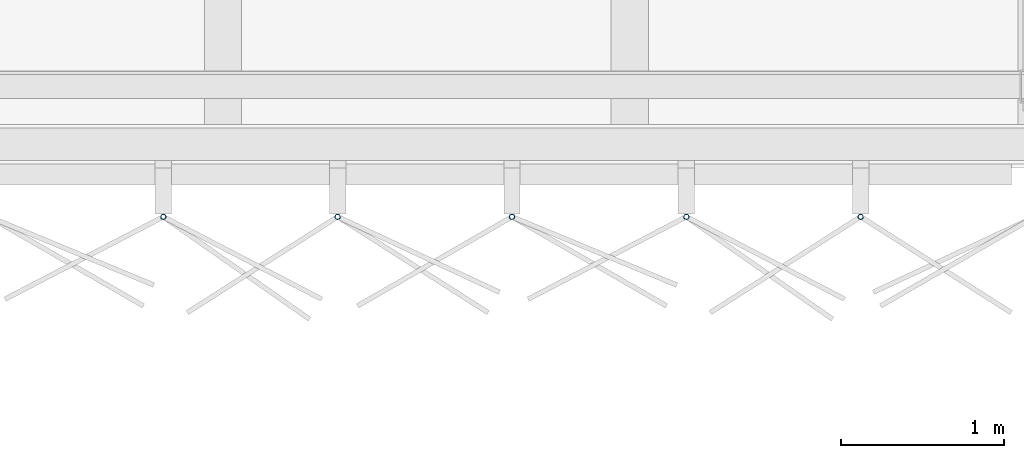
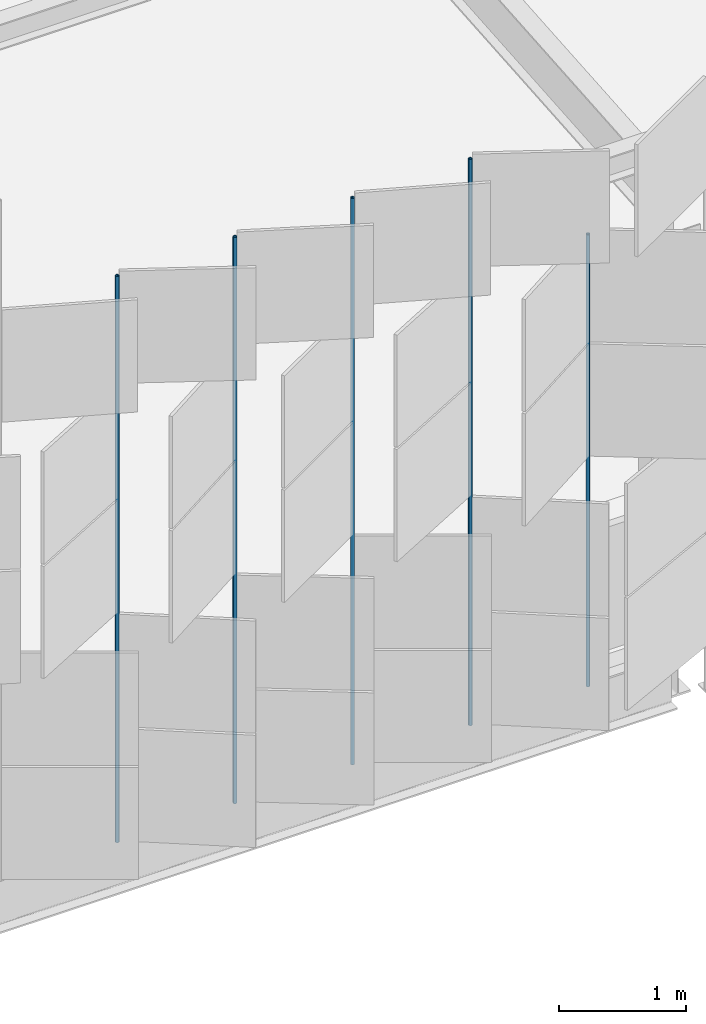
# One storey, part 150 of 483: 5 discrete accessories.
"""IFC4 building model written with IfcOpenShell, lengths in metres."""

from ifc_helpers import new_model, si_unit, direction, frame, origin, origin_2d, place, context, subcontext, project, spatial, hollow_circle, extrude, material, material_profile, profile_set, type_object, element, save


model = new_model("IFC4")

# Units and contexts
model_context = context("Model", 3, precision=1e-05, world=origin(), true_north=direction((0.0, 1.0)))
body_context = subcontext(model_context, "Body", "Model", "MODEL_VIEW")
ifc_project = project(units=[si_unit("LENGTHUNIT", "METRE"), si_unit("AREAUNIT", "SQUARE_METRE"), si_unit("VOLUMEUNIT", "CUBIC_METRE"), si_unit("PLANEANGLEUNIT", "RADIAN"), si_unit("MASSUNIT", "GRAM", prefix="KILO")], contexts=[model_context])

# Site, building, storey
site_placement = place(None, origin())
site = spatial("IfcSite", under=ifc_project, at=site_placement, CompositionType="ELEMENT")
building_placement = place(site_placement, origin())
building = spatial("IfcBuilding", under=site, at=building_placement, Name="Parallax Yard Mobility Hub", CompositionType="ELEMENT")
storey_placement = place(building_placement, frame((0.0, 0.0, 13.199951171875)))
storey = spatial("IfcBuildingStorey", under=building, at=storey_placement, Name="L04", CompositionType="ELEMENT", Elevation=13.199951171875)

# Discrete accessories
ifc_material = material(Name="Steel ASTM A500 Gr C, hot-dip galvanised", Category="steel")
ifc_material_profile = material_profile(ifc_material, hollow_circle(Radius=0.016845703125, WallThickness=0.003173828125, at=origin_2d()), Name="CHS 33.7x3.2")
ifc_profile_set = profile_set([ifc_material_profile], Name="Steel ASTM A500 Gr C, hot-dip galvanised")
discrete_accessory_type = type_object("IfcDiscreteAccessoryType", Name="Hinge post CHS 33.7x3.2", PredefinedType="BRACKET", material=ifc_profile_set)
for number, where, z_axis, x_axis, name in (
    (1, (107.13330078125, 112.199951171875, 0.0), (0.0, 0.0, 1.0), (1.0, 0.0, 0.0), "Hinge post bay 10.3 level L04"),
    (2, (108.204833984375, 112.199951171875, 0.0), (0.0, 0.0, 1.0), (1.0, 0.0, 0.0), "Hinge post bay 10.4 level L04"),
    (3, (109.2763671875, 112.199951171875, 0.0), (0.0, 0.0, 1.0), (1.0, 0.0, 0.0), "Hinge post bay 10.5 level L04"),
    (4, (110.347900390625, 112.199951171875, 0.0), (0.0, 0.0, 1.0), (1.0, 0.0, 0.0), "Hinge post bay 10.6 level L04"),
):
    element("IfcDiscreteAccessory", number, at=place(storey_placement, frame(where, z_axis=z_axis, x_axis=x_axis)), inside=storey, type_object=discrete_accessory_type, Name=name, PredefinedType="BRACKET", context=body_context, shape_type="SweptSolid", body=[
        extrude(hollow_circle(Radius=0.016845703125, WallThickness=0.003173828125, at=origin_2d()), origin(), (0.0, 0.0, 1.0), 5.449951171875),
    ])
discrete_accessory_placement = place(storey_placement, frame((111.41943359375, 112.199951171875, 0.0), z_axis=(0.0, 0.0, 1.0), x_axis=(1.0, 0.0, 0.0)))
element("IfcDiscreteAccessory", 5, at=discrete_accessory_placement, inside=storey, type_object=discrete_accessory_type, Name="Hinge post bay 10.7 level L04", PredefinedType="BRACKET", context=body_context, shape_type="SweptSolid", body=[
    extrude(hollow_circle(Radius=0.016845703125, WallThickness=0.003173828125, at=origin_2d()), origin(), (0.0, 0.0, 1.0), 4.35009765625),
])

save(model, "model.ifc")
